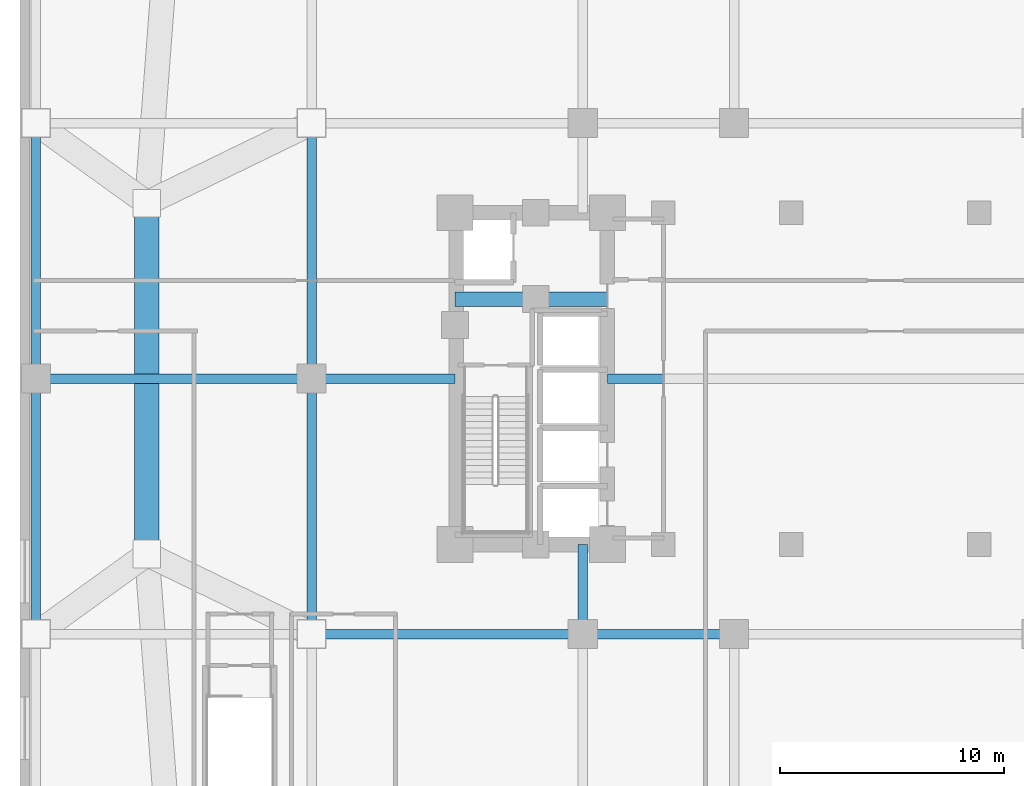
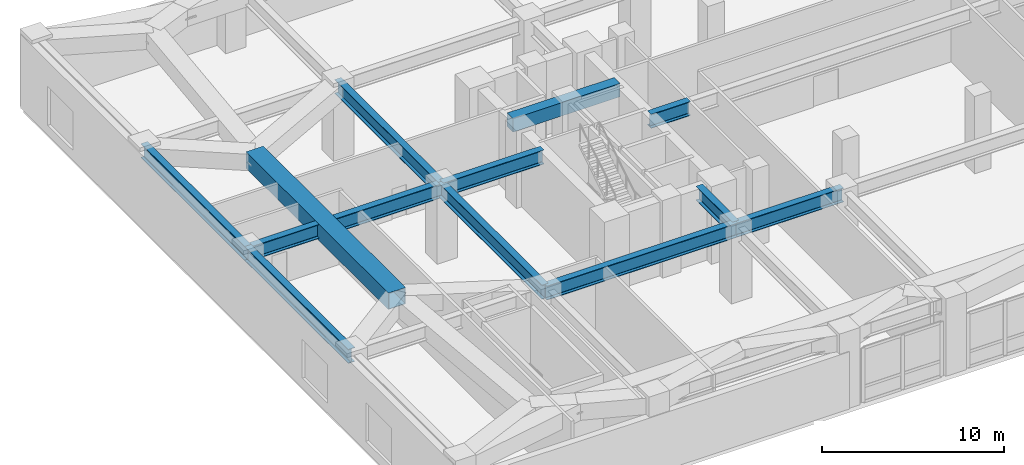
# One storey, part 3 of 20: 12 beams.
"""IFC4 building model written with IfcOpenShell, lengths in metres."""

from ifc_helpers import new_model, si_unit, direction, frame, origin, origin_2d, place, context, subcontext, project, spatial, rectangle, hollow_rectangle, i_section, extrude, material, material_profile, profile_set, type_object, element, save


model = new_model("IFC4")

# Units and contexts
model_context = context("Model", 3, precision=1e-05, world=origin(), true_north=direction((0.0, 1.0)))
body_context = subcontext(model_context, "Body", "Model", "MODEL_VIEW")
ifc_project = project(units=[si_unit("LENGTHUNIT", "METRE"), si_unit("AREAUNIT", "SQUARE_METRE"), si_unit("VOLUMEUNIT", "CUBIC_METRE"), si_unit("PLANEANGLEUNIT", "RADIAN"), si_unit("MASSUNIT", "GRAM", prefix="KILO")], contexts=[model_context])

# Site, building, storey
site_placement = place(None, origin())
site = spatial("IfcSite", under=ifc_project, at=site_placement, CompositionType="ELEMENT")
building_placement = place(site_placement, origin())
building = spatial("IfcBuilding", under=site, at=building_placement, Name="Voryun Gate Residences", CompositionType="ELEMENT")
storey_placement = place(building_placement, frame((0.0, 0.0, 20.800048828125)))
storey = spatial("IfcBuildingStorey", under=building, at=storey_placement, Name="L04", CompositionType="ELEMENT", Elevation=20.800048828125)

# Beams
ifc_material_1 = material(Name="Steel SM420", Category="steel")
ifc_material_profile_1 = material_profile(ifc_material_1, hollow_rectangle(XDim=1.10009765625, YDim=1.10009765625, WallThickness=0.035888671875, at=origin_2d()), Name="BOX-1100x1100x36")
ifc_profile_set_1 = profile_set([ifc_material_profile_1], Name="Steel SM420")
beam_type_1 = type_object("IfcBeamType", Name="BM_ARCH_RIB", PredefinedType="USERDEFINED", material=ifc_profile_set_1)
beam_1_placement = place(storey_placement, frame((-32.949951171875, 7.830078125, 4.39990234375), z_axis=(0.0, -1.0, 0.0), x_axis=(1.0, 0.0, 0.0)))
element("IfcBeam", 1, at=beam_1_placement, inside=storey, type_object=beam_type_1, Name="BM-L04-B1RING-18", ObjectType="GIRDER", PredefinedType="USERDEFINED", context=body_context, shape_type="SweptSolid", body=[
    extrude(hollow_rectangle(XDim=1.10009765625, YDim=1.10009765625, WallThickness=0.035888671875, at=origin_2d()), origin(), (0.0, 0.0, 1.0), 15.66015625),
])
ifc_material_2 = material(Name="Concrete C60/75", Category="concrete")
ifc_material_profile_2 = material_profile(ifc_material_2, rectangle(XDim=0.64990234375, YDim=0.89990234375, at=origin_2d()), Name="RC-650x900")
ifc_profile_set_2 = profile_set([ifc_material_profile_2], Name="Concrete C60/75")
beam_type_2 = type_object("IfcBeamType", Name="BM_COUP_RC900", PredefinedType="LINTEL", material=ifc_profile_set_2)
beam_2_placement = place(storey_placement, frame((-19.199951171875, 3.550048828125, 4.5), z_axis=(1.0, 0.0, 0.0), x_axis=(0.0, 1.0, 0.0)))
element("IfcBeam", 2, at=beam_2_placement, inside=storey, type_object=beam_type_2, Name="BM-L04-WC1", PredefinedType="LINTEL", context=body_context, shape_type="SweptSolid", body=[
    extrude(rectangle(XDim=0.64990234375, YDim=0.89990234375, at=origin_2d()), origin(), (0.0, 0.0, 1.0), 6.800048828125),
])
ifc_material_3 = material(Name="Steel SM420", Category="steel")
ifc_material_profile_3 = material_profile(ifc_material_3, i_section(OverallWidth=0.419921875, OverallDepth=0.949951171875, WebThickness=0.02001953125, FlangeThickness=0.035888671875, FilletRadius=0.01806640625, at=origin_2d()), Name="H-950x420x20x36")
ifc_profile_set_3 = profile_set([ifc_material_profile_3], Name="Steel SM420")
beam_type_3 = type_object("IfcBeamType", Name="BM_XFER_950", PredefinedType="USERDEFINED", material=ifc_profile_set_3)
beam_3_placement = place(storey_placement, frame((-25.60009765625, -11.39990234375, 4.474853515625), z_axis=(1.0, 0.0, 0.0), x_axis=(0.0, 1.0, 0.0)))
element("IfcBeam", 3, at=beam_3_placement, inside=storey, type_object=beam_type_3, Name="BM-L04-GX--11.4-1", ObjectType="GIRDER", PredefinedType="USERDEFINED", context=body_context, shape_type="SweptSolid", body=[
    extrude(i_section(OverallWidth=0.419921875, OverallDepth=0.949951171875, WebThickness=0.02001953125, FlangeThickness=0.035888671875, FilletRadius=0.01806640625, at=origin_2d()), origin(), (0.0, 0.0, 1.0), 12.10009765625),
])
beam_4_placement = place(storey_placement, frame((-13.5, -11.39990234375, 4.474853515625), z_axis=(1.0, 0.0, 0.0), x_axis=(0.0, 1.0, 0.0)))
element("IfcBeam", 4, at=beam_4_placement, inside=storey, type_object=beam_type_3, Name="BM-L04-GX--11.4-2", ObjectType="GIRDER", PredefinedType="USERDEFINED", context=body_context, shape_type="SweptSolid", body=[
    extrude(i_section(OverallWidth=0.419921875, OverallDepth=0.949951171875, WebThickness=0.02001953125, FlangeThickness=0.035888671875, FilletRadius=0.01806640625, at=origin_2d()), origin(), (0.0, 0.0, 1.0), 6.75),
])
beam_5_placement = place(storey_placement, frame((-37.89990234375, 0.0, 4.474853515625), z_axis=(1.0, 0.0, 0.0), x_axis=(0.0, 1.0, 0.0)))
element("IfcBeam", 5, at=beam_5_placement, inside=storey, type_object=beam_type_3, Name="BM-L04-GX-+0.0-0", ObjectType="GIRDER", PredefinedType="USERDEFINED", context=body_context, shape_type="SweptSolid", body=[
    extrude(i_section(OverallWidth=0.419921875, OverallDepth=0.949951171875, WebThickness=0.02001953125, FlangeThickness=0.035888671875, FilletRadius=0.01806640625, at=origin_2d()), origin(), (0.0, 0.0, 1.0), 12.2998046875),
])
beam_6_placement = place(storey_placement, frame((-25.60009765625, 0.0, 4.474853515625), z_axis=(1.0, 0.0, 0.0), x_axis=(0.0, 1.0, 0.0)))
element("IfcBeam", 6, at=beam_6_placement, inside=storey, type_object=beam_type_3, Name="BM-L04-GX-+0.0-1", ObjectType="GIRDER", PredefinedType="USERDEFINED", context=body_context, shape_type="SweptSolid", body=[
    extrude(i_section(OverallWidth=0.419921875, OverallDepth=0.949951171875, WebThickness=0.02001953125, FlangeThickness=0.035888671875, FilletRadius=0.01806640625, at=origin_2d()), origin(), (0.0, 0.0, 1.0), 6.400146484375),
])
beam_7_placement = place(storey_placement, frame((-12.39990234375, 0.0, 4.474853515625), z_axis=(1.0, 0.0, 0.0), x_axis=(0.0, 1.0, 0.0)))
element("IfcBeam", 7, at=beam_7_placement, inside=storey, type_object=beam_type_3, Name="BM-L04-GX-+0.0-3", ObjectType="GIRDER", PredefinedType="USERDEFINED", context=body_context, shape_type="SweptSolid", body=[
    extrude(i_section(OverallWidth=0.419921875, OverallDepth=0.949951171875, WebThickness=0.02001953125, FlangeThickness=0.035888671875, FilletRadius=0.01806640625, at=origin_2d()), origin(), (0.0, 0.0, 1.0), 2.5),
])
for number, where, z_axis, x_axis, name in (
    (8, (-37.89990234375, -11.39990234375, 4.474853515625), (0.0, 1.0, 0.0), (-1.0, 0.0, 0.0), "BM-L04-GY--37.9-1"),
    (9, (-37.89990234375, 0.0, 4.474853515625), (0.0, 1.0, 0.0), (-1.0, 0.0, 0.0), "BM-L04-GY--37.9-2"),
    (10, (-25.60009765625, -11.39990234375, 4.474853515625), (0.0, 1.0, 0.0), (-1.0, 0.0, 0.0), "BM-L04-GY--25.6-1"),
    (11, (-25.60009765625, 0.0, 4.474853515625), (0.0, 1.0, 0.0), (-1.0, 0.0, 0.0), "BM-L04-GY--25.6-2"),
):
    element("IfcBeam", number, at=place(storey_placement, frame(where, z_axis=z_axis, x_axis=x_axis)), inside=storey, type_object=beam_type_3, Name=name, ObjectType="GIRDER", PredefinedType="USERDEFINED", context=body_context, shape_type="SweptSolid", body=[
        extrude(i_section(OverallWidth=0.419921875, OverallDepth=0.949951171875, WebThickness=0.02001953125, FlangeThickness=0.035888671875, FilletRadius=0.01806640625, at=origin_2d()), origin(), (0.0, 0.0, 1.0), 11.39990234375),
    ])
beam_8_placement = place(storey_placement, frame((-13.5, -11.39990234375, 4.474853515625), z_axis=(0.0, 1.0, 0.0), x_axis=(-1.0, 0.0, 0.0)))
element("IfcBeam", 12, at=beam_8_placement, inside=storey, type_object=beam_type_3, Name="BM-L04-GYA--13.5--11.4", ObjectType="GIRDER", PredefinedType="USERDEFINED", context=body_context, shape_type="SweptSolid", body=[
    extrude(i_section(OverallWidth=0.419921875, OverallDepth=0.949951171875, WebThickness=0.02001953125, FlangeThickness=0.035888671875, FilletRadius=0.01806640625, at=origin_2d()), origin(), (0.0, 0.0, 1.0), 4.0),
])

save(model, "model.ifc")
